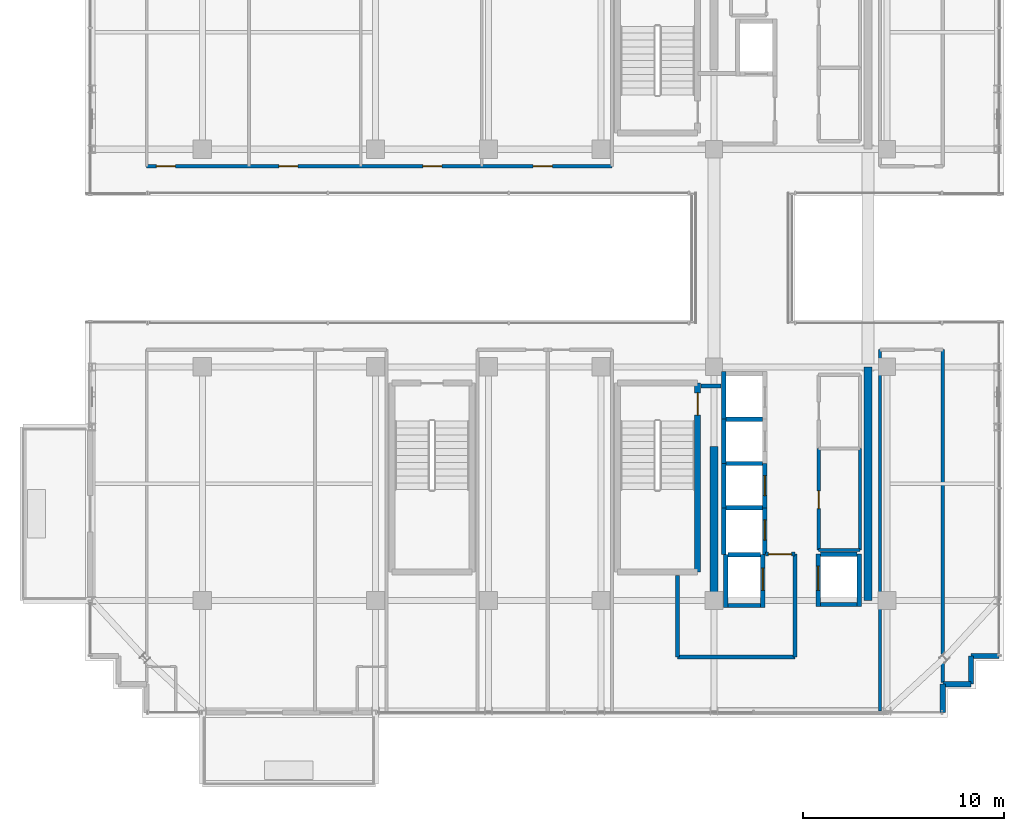
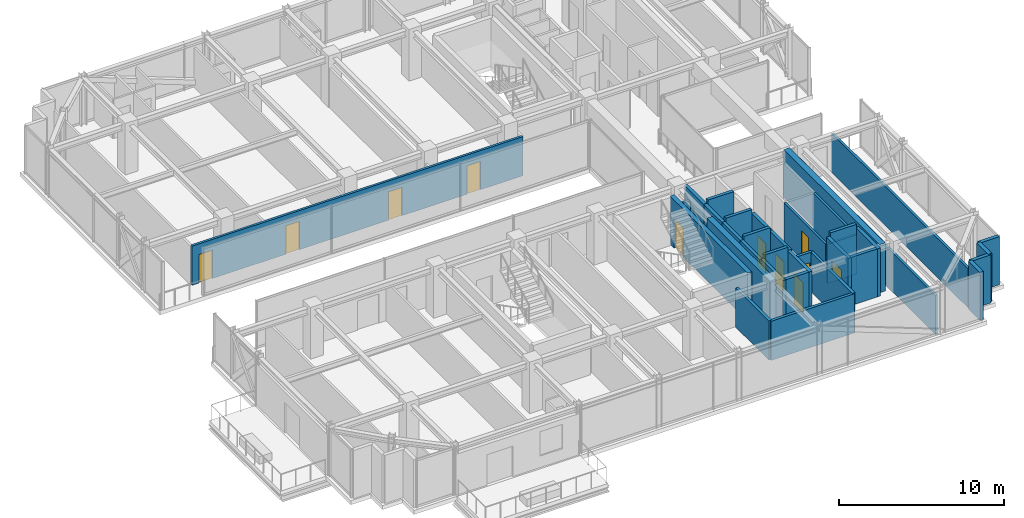
# One storey, part 31 of 37: 35 walls, 11 doors, 11 openings.
"""IFC4 building model written with IfcOpenShell, lengths in metres."""

from ifc_helpers import new_model, si_unit, direction, frame, frame_2d, origin, place, context, subcontext, project, spatial, rectangle, extrude, source, transform, mapped, material, layer, layer_set, type_object, element, fill, save


model = new_model("IFC4")

# Units and contexts
model_context = context("Model", 3, precision=1e-05, world=origin(), true_north=direction((0.0, 1.0)))
body_context = subcontext(model_context, "Body", "Model", "MODEL_VIEW")
ifc_project = project(units=[si_unit("LENGTHUNIT", "METRE"), si_unit("AREAUNIT", "SQUARE_METRE"), si_unit("VOLUMEUNIT", "CUBIC_METRE"), si_unit("PLANEANGLEUNIT", "RADIAN"), si_unit("MASSUNIT", "GRAM", prefix="KILO")], contexts=[model_context])

# Site, building, storey
site_placement = place(None, origin())
site = spatial("IfcSite", under=ifc_project, at=site_placement, CompositionType="ELEMENT")
building_placement = place(site_placement, origin())
building = spatial("IfcBuilding", under=site, at=building_placement, Name="Nahalor Promenade Grand Hotel", CompositionType="ELEMENT")
storey_placement = place(building_placement, frame((0.0, 0.0, 292.64990234375)))
storey = spatial("IfcBuildingStorey", under=building, at=storey_placement, Name="L75", CompositionType="ELEMENT", Elevation=292.64990234375)

# Walls
ifc_material_1 = material(Name="Concrete B-50 (C40/50)", Category="concrete")
ifc_layer_1 = layer(ifc_material_1, 0.39990234375)
ifc_layer_set_1 = layer_set([ifc_layer_1], Name="Concrete B-50 (C40/50)")
wall_type_1 = type_object("IfcWallType", Name="Wall-CoreShear-400", PredefinedType="SHEAR", material=ifc_layer_set_1)
shared_shape_1 = source(origin(), body_context, "Body", "SweptSolid", [
    extrude(rectangle(XDim=7.64990234375, YDim=0.39990234375, at=frame_2d((3.824951171875, 0.0))), origin(), (0.0, 0.0, 1.0), 3.550048828125),
])
wall_1_placement = place(storey_placement, frame((8.39990234375, -17.0, 0.0), z_axis=(0.0, 0.0, 1.0), x_axis=(0.0, 1.0, 0.0)))
element("IfcWall", 1, at=wall_1_placement, inside=storey, type_object=wall_type_1, Name="CWALL-L75-SW", PredefinedType="SHEAR", context=body_context, shape_type="MappedRepresentation", body=[
    mapped(shared_shape_1, transform((0.0, 0.0, 0.0), scale=1.0)),
])
shared_shape_2 = source(origin(), body_context, "Body", "SweptSolid", [
    extrude(rectangle(XDim=11.60009765625, YDim=0.39990234375, at=frame_2d((5.800048828125, 0.0))), origin(), (0.0, 0.0, 1.0), 3.550048828125),
])
wall_2_placement = place(storey_placement, frame((16.050048828125, -17.0, 0.0), z_axis=(0.0, 0.0, 1.0), x_axis=(0.0, 1.0, 0.0)))
element("IfcWall", 2, at=wall_2_placement, inside=storey, type_object=wall_type_1, Name="CWALL-L75-SE", PredefinedType="SHEAR", context=body_context, shape_type="MappedRepresentation", body=[
    mapped(shared_shape_2, transform((0.0, 0.0, 0.0), scale=1.0)),
])

# Wall, opening, door
ifc_layer_2 = layer(ifc_material_1, 0.300048828125)
ifc_layer_set_2 = layer_set([ifc_layer_2], Name="Concrete B-50 (C40/50)")
wall_type_2 = type_object("IfcWallType", Name="Wall-ShaftShear-300", PredefinedType="SHEAR", material=ifc_layer_set_2)
shared_shape_3 = source(origin(), body_context, "Body", "SweptSolid", [
    extrude(rectangle(XDim=9.380126953125, YDim=0.300048828125, at=frame_2d((4.68994140625, 0.0))), origin(), (0.0, 0.0, 1.0), 3.550048828125),
])
wall_3_placement = place(storey_placement, frame((7.590087890625, -15.590087890625, 0.0), z_axis=(0.0, 0.0, 1.0), x_axis=(0.0, 1.0, 0.0)))
wall_3 = element("IfcWall", 3, at=wall_3_placement, inside=storey, type_object=wall_type_2, Name="L75 Exit Stair ST2 Shaft Wall E", PredefinedType="SHEAR", context=body_context, shape_type="MappedRepresentation", body=[
    mapped(shared_shape_3, transform((0.0, 0.0, 0.0), scale=1.0)),
])
opening_1_placement = place(wall_3_placement, frame((7.7900390625, 0.0, 0.0)))
opening_1 = element("IfcOpeningElement", 4, at=opening_1_placement, cuts=wall_3, Name="Opening D-ST1", PredefinedType="OPENING", context=body_context, shape_type="SweptSolid", body=[
    extrude(rectangle(XDim=1.10009765625, YDim=2.14990234375, at=frame_2d((0.550048828125, 1.074951171875))), frame((0.0, 0.159912109375, 0.0), z_axis=(0.0, -1.0, 0.0), x_axis=(1.0, 0.0, 0.0)), (0.0, 0.0, 1.0), 0.320068359375),
])
ifc_material_2 = material(Name="Steel S355JR", Category="steel")
door_type_1 = type_object("IfcDoorType", Name="Door-StairFire-1100", OperationType="NOTDEFINED", PredefinedType="DOOR", material=ifc_material_2)
shared_shape_4 = source(origin(), body_context, "Body", "SweptSolid", [
    extrude(rectangle(XDim=1.10009765625, YDim=2.14990234375, at=frame_2d((0.550048828125, 1.074951171875))), frame((0.0, 0.02490234375, 0.0), z_axis=(0.0, -1.0, 0.0), x_axis=(1.0, 0.0, 0.0)), (0.0, 0.0, 1.0), 0.050048828125),
])
door_1_placement = place(opening_1_placement, origin())
door_1 = element("IfcDoor", 5, at=door_1_placement, inside=storey, type_object=door_type_1, Name="DR-STAIR-ST2-L75", OperationType="SINGLE_SWING_RIGHT", OverallHeight=2.14990234375, OverallWidth=1.10009765625, PredefinedType="DOOR", context=body_context, shape_type="MappedRepresentation", body=[
    mapped(shared_shape_4, transform((0.0, 0.0, 0.0), scale=1.0)),
])
fill(opening_1, door_1)

# Walls
ifc_layer_3 = layer(ifc_material_1, 0.219970703125)
ifc_layer_set_3 = layer_set([ifc_layer_3], Name="Concrete B-50 (C40/50)")
wall_type_3 = type_object("IfcWallType", Name="Wall-LiftShaft-220", PredefinedType="SHEAR", material=ifc_layer_set_3)
shared_shape_5 = source(origin(), body_context, "Body", "SweptSolid", [
    extrude(rectangle(XDim=2.360107421875, YDim=0.219970703125, at=frame_2d((1.18017578125, 0.0))), origin(), (0.0, 0.0, 1.0), 3.550048828125),
])
wall_4_placement = place(storey_placement, frame((8.8798828125, -8.0, 0.0), z_axis=(0.0, 0.0, 1.0), x_axis=(0.0, 1.0, 0.0)))
element("IfcWall", 6, at=wall_4_placement, inside=storey, type_object=wall_type_3, Name="L75 Lift PL9 Hoistway Wall W", PredefinedType="SHEAR", context=body_context, shape_type="MappedRepresentation", body=[
    mapped(shared_shape_5, transform((0.0, 0.0, 0.0), scale=1.0)),
])
shared_shape_6 = source(origin(), body_context, "Body", "SweptSolid", [
    extrude(rectangle(XDim=1.820068359375, YDim=0.219970703125, at=frame_2d((0.91015625, 0.0))), origin(), (0.0, 0.0, 1.0), 3.550048828125),
])
wall_5_placement = place(storey_placement, frame((13.68994140625, -17.199951171875, 0.0), z_axis=(0.0, 0.0, 1.0), x_axis=(1.0, 0.0, 0.0)))
element("IfcWall", 7, at=wall_5_placement, inside=storey, type_object=wall_type_3, Name="L75 Lift SV2 Hoistway Wall S", PredefinedType="SHEAR", context=body_context, shape_type="MappedRepresentation", body=[
    mapped(shared_shape_6, transform((0.0, 0.0, 0.0), scale=1.0)),
])
shared_shape_7 = source(origin(), body_context, "Body", "SweptSolid", [
    extrude(rectangle(XDim=2.199951171875, YDim=0.219970703125, at=frame_2d((1.10009765625, 0.0))), origin(), (0.0, 0.0, 1.0), 3.550048828125),
])
for number, where, z_axis, x_axis, name in (
    (8, (8.8798828125, -10.199951171875, 0.0), (0.0, 0.0, 1.0), (0.0, 1.0, 0.0), "L75 Lift PL10 Hoistway Wall W"),
    (9, (8.8798828125, -12.39990234375, 0.0), (0.0, 0.0, 1.0), (0.0, 1.0, 0.0), "L75 Lift PL11 Hoistway Wall W"),
):
    element("IfcWall", number, at=place(storey_placement, frame(where, z_axis=z_axis, x_axis=x_axis)), inside=storey, type_object=wall_type_3, Name=name, PredefinedType="SHEAR", context=body_context, shape_type="MappedRepresentation", body=[
        mapped(shared_shape_7, transform((0.0, 0.0, 0.0), scale=1.0)),
    ])

# Wall, opening, door
wall_6_placement = place(storey_placement, frame((10.919921875, -12.39990234375, 0.0), z_axis=(0.0, 0.0, 1.0), x_axis=(0.0, 1.0, 0.0)))
wall_6 = element("IfcWall", 10, at=wall_6_placement, inside=storey, type_object=wall_type_3, Name="L75 Lift PL11 Hoistway Wall E", PredefinedType="SHEAR", context=body_context, shape_type="MappedRepresentation", body=[
    mapped(shared_shape_7, transform((0.0, 0.0, 0.0), scale=1.0)),
])
opening_2_placement = place(wall_6_placement, frame((0.60009765625, 0.0, 0.0)))
opening_2 = element("IfcOpeningElement", 11, at=opening_2_placement, cuts=wall_6, Name="Opening LD-01", PredefinedType="OPENING", context=body_context, shape_type="SweptSolid", body=[
    extrude(rectangle(XDim=1.0, YDim=2.199951171875, at=frame_2d((0.5, 1.10009765625))), frame((0.0, 0.119873046875, 0.0), z_axis=(0.0, -1.0, 0.0), x_axis=(1.0, 0.0, 0.0)), (0.0, 0.0, 1.0), 0.239990234375),
])
door_type_2 = type_object("IfcDoorType", Name="Door-LiftLanding-1000", OperationType="DOUBLE_DOOR_SLIDING", PredefinedType="DOOR", material=ifc_material_2)
shared_shape_8 = source(origin(), body_context, "Body", "SweptSolid", [
    extrude(rectangle(XDim=1.0, YDim=2.199951171875, at=frame_2d((0.5, 1.10009765625))), frame((0.0, 0.02490234375, 0.0), z_axis=(0.0, -1.0, 0.0), x_axis=(1.0, 0.0, 0.0)), (0.0, 0.0, 1.0), 0.050048828125),
])
door_2_placement = place(opening_2_placement, frame((1.0, 0.0, 0.0), z_axis=(0.0, 0.0, 1.0), x_axis=(-1.0, 0.0, 0.0)))
door_2 = element("IfcDoor", 12, at=door_2_placement, inside=storey, type_object=door_type_2, Name="DR-LIFT-PL11-L75", OperationType="DOUBLE_DOOR_SLIDING", OverallHeight=2.199951171875, OverallWidth=1.0, PredefinedType="DOOR", context=body_context, shape_type="MappedRepresentation", body=[
    mapped(shared_shape_8, transform((0.0, 0.0, 0.0), scale=1.0)),
])
fill(opening_2, door_2)

# Walls
shared_shape_9 = source(origin(), body_context, "Body", "SweptSolid", [
    extrude(rectangle(XDim=1.820068359375, YDim=0.219970703125, at=frame_2d((0.91015625, 0.0))), origin(), (0.0, 0.0, 1.0), 3.85009765625),
])
for number, where, z_axis, x_axis, name in (
    (13, (8.989990234375, -8.0, 0.0), (0.0, 0.0, 1.0), (1.0, 0.0, 0.0), "L75 Lift PL10 Hoistway Wall N"),
    (14, (8.989990234375, -10.199951171875, 0.0), (0.0, 0.0, 1.0), (1.0, 0.0, 0.0), "L75 Lift PL11 Hoistway Wall N"),
    (15, (8.989990234375, -12.39990234375, 0.0), (0.0, 0.0, 1.0), (1.0, 0.0, 0.0), "L75 Lift PL12 Hoistway Wall N"),
    (16, (13.68994140625, -14.699951171875, 0.0), (0.0, 0.0, 1.0), (1.0, 0.0, 0.0), "L75 Lift SV2 Hoistway Wall N"),
):
    element("IfcWall", number, at=place(storey_placement, frame(where, z_axis=z_axis, x_axis=x_axis)), inside=storey, type_object=wall_type_3, Name=name, PredefinedType="SHEAR", context=body_context, shape_type="MappedRepresentation", body=[
        mapped(shared_shape_9, transform((0.0, 0.0, 0.0), scale=1.0)),
    ])
shared_shape_10 = source(origin(), body_context, "Body", "SweptSolid", [
    extrude(rectangle(XDim=2.3251953125, YDim=0.219970703125, at=frame_2d((1.16259765625, 0.0))), origin(), (0.0, 0.0, 1.0), 3.550048828125),
])
wall_7_placement = place(storey_placement, frame((8.8798828125, -14.72509765625, 0.0), z_axis=(0.0, 0.0, 1.0), x_axis=(0.0, 1.0, 0.0)))
element("IfcWall", 17, at=wall_7_placement, inside=storey, type_object=wall_type_3, Name="L75 Lift PL12 Hoistway Wall W", PredefinedType="SHEAR", context=body_context, shape_type="MappedRepresentation", body=[
    mapped(shared_shape_10, transform((0.0, 0.0, 0.0), scale=1.0)),
])

# Wall, opening, door
wall_8_placement = place(storey_placement, frame((10.919921875, -14.72509765625, 0.0), z_axis=(0.0, 0.0, 1.0), x_axis=(0.0, 1.0, 0.0)))
wall_8 = element("IfcWall", 18, at=wall_8_placement, inside=storey, type_object=wall_type_3, Name="L75 Lift PL12 Hoistway Wall E", PredefinedType="SHEAR", context=body_context, shape_type="MappedRepresentation", body=[
    mapped(shared_shape_10, transform((0.0, 0.0, 0.0), scale=1.0)),
])
opening_3_placement = place(wall_8_placement, frame((0.72509765625, 0.0, 0.0)))
opening_3 = element("IfcOpeningElement", 19, at=opening_3_placement, cuts=wall_8, Name="Opening LD-01", PredefinedType="OPENING", context=body_context, shape_type="SweptSolid", body=[
    extrude(rectangle(XDim=1.0, YDim=2.199951171875, at=frame_2d((0.5, 1.10009765625))), frame((0.0, 0.119873046875, 0.0), z_axis=(0.0, -1.0, 0.0), x_axis=(1.0, 0.0, 0.0)), (0.0, 0.0, 1.0), 0.239990234375),
])
door_3_placement = place(opening_3_placement, frame((1.0, 0.0, 0.0), z_axis=(0.0, 0.0, 1.0), x_axis=(-1.0, 0.0, 0.0)))
door_3 = element("IfcDoor", 20, at=door_3_placement, inside=storey, type_object=door_type_2, Name="DR-LIFT-PL12-L75", OperationType="DOUBLE_DOOR_SLIDING", OverallHeight=2.199951171875, OverallWidth=1.0, PredefinedType="DOOR", context=body_context, shape_type="MappedRepresentation", body=[
    mapped(shared_shape_8, transform((0.0, 0.0, 0.0), scale=1.0)),
])
fill(opening_3, door_3)

# Wall
shared_shape_11 = source(origin(), body_context, "Body", "SweptSolid", [
    extrude(rectangle(XDim=2.635009765625, YDim=0.219970703125, at=frame_2d((1.3173828125, 0.0))), origin(), (0.0, 0.0, 1.0), 3.550048828125),
])
wall_9_placement = place(storey_placement, frame((8.97998046875, -17.360107421875, 0.0), z_axis=(0.0, 0.0, 1.0), x_axis=(0.0, 1.0, 0.0)))
element("IfcWall", 21, at=wall_9_placement, inside=storey, type_object=wall_type_3, Name="L75 Lift FL2 Hoistway Wall W", PredefinedType="SHEAR", context=body_context, shape_type="MappedRepresentation", body=[
    mapped(shared_shape_11, transform((0.0, 0.0, 0.0), scale=1.0)),
])

# Wall, opening, door
wall_10_placement = place(storey_placement, frame((10.820068359375, -17.360107421875, 0.0), z_axis=(0.0, 0.0, 1.0), x_axis=(0.0, 1.0, 0.0)))
wall_10 = element("IfcWall", 22, at=wall_10_placement, inside=storey, type_object=wall_type_3, Name="L75 Lift FL2 Hoistway Wall E", PredefinedType="SHEAR", context=body_context, shape_type="MappedRepresentation", body=[
    mapped(shared_shape_11, transform((0.0, 0.0, 0.0), scale=1.0)),
])
opening_4_placement = place(wall_10_placement, frame((0.860107421875, 0.0, 0.0)))
opening_4 = element("IfcOpeningElement", 23, at=opening_4_placement, cuts=wall_10, Name="Opening LD-02", PredefinedType="OPENING", context=body_context, shape_type="SweptSolid", body=[
    extrude(rectangle(XDim=1.10009765625, YDim=2.199951171875, at=frame_2d((0.550048828125, 1.10009765625))), frame((0.0, 0.119873046875, 0.0), z_axis=(0.0, -1.0, 0.0), x_axis=(1.0, 0.0, 0.0)), (0.0, 0.0, 1.0), 0.239990234375),
])
door_type_3 = type_object("IfcDoorType", Name="Door-LiftFF-1100", OperationType="DOUBLE_DOOR_SLIDING", PredefinedType="DOOR", material=ifc_material_2)
shared_shape_12 = source(origin(), body_context, "Body", "SweptSolid", [
    extrude(rectangle(XDim=1.10009765625, YDim=2.199951171875, at=frame_2d((0.550048828125, 1.10009765625))), frame((0.0, 0.02490234375, 0.0), z_axis=(0.0, -1.0, 0.0), x_axis=(1.0, 0.0, 0.0)), (0.0, 0.0, 1.0), 0.050048828125),
])
door_4_placement = place(opening_4_placement, frame((1.10009765625, 0.0, 0.0), z_axis=(0.0, 0.0, 1.0), x_axis=(-1.0, 0.0, 0.0)))
door_4 = element("IfcDoor", 24, at=door_4_placement, inside=storey, type_object=door_type_3, Name="DR-LIFT-FL2-L75", OperationType="DOUBLE_DOOR_SLIDING", OverallHeight=2.199951171875, OverallWidth=1.10009765625, PredefinedType="DOOR", context=body_context, shape_type="MappedRepresentation", body=[
    mapped(shared_shape_12, transform((0.0, 0.0, 0.0), scale=1.0)),
])
fill(opening_4, door_4)

# Walls
shared_shape_13 = source(origin(), body_context, "Body", "SweptSolid", [
    extrude(rectangle(XDim=1.619873046875, YDim=0.219970703125, at=frame_2d((0.81005859375, 0.0))), origin(), (0.0, 0.0, 1.0), 3.550048828125),
])
wall_11_placement = place(storey_placement, frame((9.090087890625, -17.25, 0.0), z_axis=(0.0, 0.0, 1.0), x_axis=(1.0, 0.0, 0.0)))
element("IfcWall", 25, at=wall_11_placement, inside=storey, type_object=wall_type_3, Name="L75 Lift FL2 Hoistway Wall S", PredefinedType="SHEAR", context=body_context, shape_type="MappedRepresentation", body=[
    mapped(shared_shape_13, transform((0.0, 0.0, 0.0), scale=1.0)),
])
shared_shape_14 = source(origin(), body_context, "Body", "SweptSolid", [
    extrude(rectangle(XDim=1.619873046875, YDim=0.219970703125, at=frame_2d((0.81005859375, 0.0))), origin(), (0.0, 0.0, 1.0), 3.85009765625),
])
wall_12_placement = place(storey_placement, frame((9.090087890625, -14.72509765625, 0.0), z_axis=(0.0, 0.0, 1.0), x_axis=(1.0, 0.0, 0.0)))
element("IfcWall", 26, at=wall_12_placement, inside=storey, type_object=wall_type_3, Name="L75 Lift FL2 Hoistway Wall N", PredefinedType="SHEAR", context=body_context, shape_type="MappedRepresentation", body=[
    mapped(shared_shape_14, transform((0.0, 0.0, 0.0), scale=1.0)),
])

# Wall, opening, door
shared_shape_15 = source(origin(), body_context, "Body", "SweptSolid", [
    extrude(rectangle(XDim=2.610107421875, YDim=0.219970703125, at=frame_2d((1.30517578125, 0.0))), origin(), (0.0, 0.0, 1.0), 3.550048828125),
])
wall_13_placement = place(storey_placement, frame((13.580078125, -17.31005859375, 0.0), z_axis=(0.0, 0.0, 1.0), x_axis=(0.0, 1.0, 0.0)))
wall_13 = element("IfcWall", 27, at=wall_13_placement, inside=storey, type_object=wall_type_3, Name="L75 Lift SV2 Hoistway Wall W", PredefinedType="SHEAR", context=body_context, shape_type="MappedRepresentation", body=[
    mapped(shared_shape_15, transform((0.0, 0.0, 0.0), scale=1.0)),
])
opening_5_placement = place(wall_13_placement, frame((0.81005859375, 0.0, 0.0)))
opening_5 = element("IfcOpeningElement", 28, at=opening_5_placement, cuts=wall_13, Name="Opening LD-03", PredefinedType="OPENING", context=body_context, shape_type="SweptSolid", body=[
    extrude(rectangle(XDim=1.199951171875, YDim=2.199951171875, at=frame_2d((0.60009765625, 1.10009765625))), frame((0.0, 0.119873046875, 0.0), z_axis=(0.0, -1.0, 0.0), x_axis=(1.0, 0.0, 0.0)), (0.0, 0.0, 1.0), 0.239990234375),
])
door_type_4 = type_object("IfcDoorType", Name="Door-LiftService-1200", OperationType="DOUBLE_DOOR_SLIDING", PredefinedType="DOOR", material=ifc_material_2)
shared_shape_16 = source(origin(), body_context, "Body", "SweptSolid", [
    extrude(rectangle(XDim=1.199951171875, YDim=2.199951171875, at=frame_2d((0.60009765625, 1.10009765625))), frame((0.0, 0.02490234375, 0.0), z_axis=(0.0, -1.0, 0.0), x_axis=(1.0, 0.0, 0.0)), (0.0, 0.0, 1.0), 0.050048828125),
])
door_5_placement = place(opening_5_placement, origin())
door_5 = element("IfcDoor", 29, at=door_5_placement, inside=storey, type_object=door_type_4, Name="DR-LIFT-SV2-L75", OperationType="DOUBLE_DOOR_SLIDING", OverallHeight=2.199951171875, OverallWidth=1.199951171875, PredefinedType="DOOR", context=body_context, shape_type="MappedRepresentation", body=[
    mapped(shared_shape_16, transform((0.0, 0.0, 0.0), scale=1.0)),
])
fill(opening_5, door_5)

# Walls
wall_14_placement = place(storey_placement, frame((15.6201171875, -17.31005859375, 0.0), z_axis=(0.0, 0.0, 1.0), x_axis=(0.0, 1.0, 0.0)))
element("IfcWall", 30, at=wall_14_placement, inside=storey, type_object=wall_type_3, Name="L75 Lift SV2 Hoistway Wall E", PredefinedType="SHEAR", context=body_context, shape_type="MappedRepresentation", body=[
    mapped(shared_shape_15, transform((0.0, 0.0, 0.0), scale=1.0)),
])
ifc_material_3 = material(Name="Concrete B-40 (C32/40)", Category="concrete")
ifc_layer_4 = layer(ifc_material_3, 0.25)
ifc_layer_set_4 = layer_set([ifc_layer_4], Name="Concrete B-40 (C32/40)")
wall_type_4 = type_object("IfcWallType", Name="Wall-BronzePier-250", PredefinedType="STANDARD", material=ifc_layer_set_4)
shared_shape_17 = source(origin(), body_context, "Body", "SweptSolid", [
    extrude(rectangle(XDim=1.400146484375, YDim=0.25, at=frame_2d((0.7001953125, 0.0))), origin(), (0.0, 0.0, 1.0), 3.550048828125),
])
for number, where, z_axis, x_axis, name in (
    (31, (19.760009765625, -22.56005859375, 0.0), (0.0, 0.0, 1.0), (0.0, 1.0, 0.0), "W-L75-SR-01"),
    (32, (21.159912109375, -19.760009765625, 0.0), (0.0, 0.0, 1.0), (1.0, 0.0, 0.0), "W-L75-SR-04"),
):
    element("IfcWall", number, at=place(storey_placement, frame(where, z_axis=z_axis, x_axis=x_axis)), inside=storey, type_object=wall_type_4, Name=name, PredefinedType="STANDARD", context=body_context, shape_type="MappedRepresentation", body=[
        mapped(shared_shape_17, transform((0.0, 0.0, 0.0), scale=1.0)),
    ])
shared_shape_18 = source(origin(), body_context, "Body", "SweptSolid", [
    extrude(rectangle(XDim=1.39990234375, YDim=0.25, at=frame_2d((0.699951171875, 0.0))), origin(), (0.0, 0.0, 1.0), 3.550048828125),
])
for number, where, z_axis, x_axis, name in (
    (33, (19.760009765625, -21.159912109375, 0.0), (0.0, 0.0, 1.0), (1.0, 0.0, 0.0), "W-L75-SR-02"),
    (34, (21.159912109375, -21.159912109375, 0.0), (0.0, 0.0, 1.0), (0.0, 1.0, 0.0), "W-L75-SR-03"),
):
    element("IfcWall", number, at=place(storey_placement, frame(where, z_axis=z_axis, x_axis=x_axis)), inside=storey, type_object=wall_type_4, Name=name, PredefinedType="STANDARD", context=body_context, shape_type="MappedRepresentation", body=[
        mapped(shared_shape_18, transform((0.0, 0.0, 0.0), scale=1.0)),
    ])
ifc_layer_5 = layer(ifc_material_3, 0.199951171875)
ifc_layer_set_5 = layer_set([ifc_layer_5], Name="Concrete B-40 (C32/40)")
wall_type_5 = type_object("IfcWallType", Name="Wall-PartFire-200", PredefinedType="PARTITIONING", material=ifc_layer_set_5)
shared_shape_19 = source(origin(), body_context, "Body", "SweptSolid", [
    extrude(rectangle(XDim=5.81982421875, YDim=0.199951171875, at=frame_2d((2.909912109375, 0.0))), origin(), (0.0, 0.0, 1.0), 2.89013671875),
])
wall_15_placement = place(storey_placement, frame((6.60009765625, -19.800048828125, 0.0), z_axis=(0.0, 0.0, 1.0), x_axis=(1.0, 0.0, 0.0)))
element("IfcWall", 35, at=wall_15_placement, inside=storey, type_object=wall_type_5, Name="W-L75-FF2-S1", PredefinedType="PARTITIONING", context=body_context, shape_type="MappedRepresentation", body=[
    mapped(shared_shape_19, transform((0.0, 0.0, 0.0), scale=1.0)),
])
shared_shape_20 = source(origin(), body_context, "Body", "SweptSolid", [
    extrude(rectangle(XDim=4.030029296875, YDim=0.199951171875, at=frame_2d((2.01513671875, 0.0))), origin(), (0.0, 0.0, 1.0), 2.89013671875),
])
wall_16_placement = place(storey_placement, frame((6.60009765625, -19.800048828125, 0.0), z_axis=(0.0, 0.0, 1.0), x_axis=(0.0, 1.0, 0.0)))
element("IfcWall", 36, at=wall_16_placement, inside=storey, type_object=wall_type_5, Name="W-L75-FF2-W1", PredefinedType="PARTITIONING", context=body_context, shape_type="MappedRepresentation", body=[
    mapped(shared_shape_20, transform((0.0, 0.0, 0.0), scale=1.0)),
])
shared_shape_21 = source(origin(), body_context, "Body", "SweptSolid", [
    extrude(rectangle(XDim=5.10009765625, YDim=0.199951171875, at=frame_2d((2.550048828125, 0.0))), origin(), (0.0, 0.0, 1.0), 2.89013671875),
])
wall_17_placement = place(storey_placement, frame((12.419921875, -19.800048828125, 0.0), z_axis=(0.0, 0.0, 1.0), x_axis=(0.0, 1.0, 0.0)))
element("IfcWall", 37, at=wall_17_placement, inside=storey, type_object=wall_type_5, Name="W-L75-FF2-E", PredefinedType="PARTITIONING", context=body_context, shape_type="MappedRepresentation", body=[
    mapped(shared_shape_21, transform((0.0, 0.0, 0.0), scale=1.0)),
])

# Wall, opening, door
shared_shape_22 = source(origin(), body_context, "Body", "SweptSolid", [
    extrude(rectangle(XDim=1.4599609375, YDim=0.199951171875, at=frame_2d((0.72998046875, 0.0))), origin(), (0.0, 0.0, 1.0), 2.89013671875),
])
wall_18_placement = place(storey_placement, frame((10.9599609375, -14.699951171875, 0.0), z_axis=(0.0, 0.0, 1.0), x_axis=(1.0, 0.0, 0.0)))
wall_18 = element("IfcWall", 38, at=wall_18_placement, inside=storey, type_object=wall_type_5, Name="W-L75-FF2-N1", PredefinedType="PARTITIONING", context=body_context, shape_type="MappedRepresentation", body=[
    mapped(shared_shape_22, transform((0.0, 0.0, 0.0), scale=1.0)),
])
opening_6_placement = place(wall_18_placement, frame((0.14501953125, 0.0, 0.0)))
opening_6 = element("IfcOpeningElement", 39, at=opening_6_placement, cuts=wall_18, Name="Opening D-FF1", PredefinedType="OPENING", context=body_context, shape_type="SweptSolid", body=[
    extrude(rectangle(XDim=1.14990234375, YDim=2.14990234375, at=frame_2d((0.574951171875, 1.074951171875))), frame((0.0, 0.10986328125, 0.0), z_axis=(0.0, -1.0, 0.0), x_axis=(1.0, 0.0, 0.0)), (0.0, 0.0, 1.0), 0.219970703125),
])
door_type_5 = type_object("IfcDoorType", Name="Door-FFLobby-1150", OperationType="NOTDEFINED", PredefinedType="DOOR", material=ifc_material_2)
shared_shape_23 = source(origin(), body_context, "Body", "SweptSolid", [
    extrude(rectangle(XDim=1.14990234375, YDim=2.14990234375, at=frame_2d((0.574951171875, 1.074951171875))), frame((0.0, 0.02490234375, 0.0), z_axis=(0.0, -1.0, 0.0), x_axis=(1.0, 0.0, 0.0)), (0.0, 0.0, 1.0), 0.050048828125),
])
door_6_placement = place(opening_6_placement, origin())
door_6 = element("IfcDoor", 40, at=door_6_placement, inside=storey, type_object=door_type_5, Name="DR-L75-FFL2", OperationType="SINGLE_SWING_RIGHT", OverallHeight=2.14990234375, OverallWidth=1.14990234375, PredefinedType="DOOR", context=body_context, shape_type="MappedRepresentation", body=[
    mapped(shared_shape_23, transform((0.0, 0.0, 0.0), scale=1.0)),
])
fill(opening_6, door_6)

# Walls
shared_shape_24 = source(origin(), body_context, "Body", "SweptSolid", [
    extrude(rectangle(XDim=0.969970703125, YDim=0.199951171875, at=frame_2d((0.48486328125, 0.0))), origin(), (0.0, 0.0, 1.0), 2.89013671875),
])
wall_19_placement = place(storey_placement, frame((7.77001953125, -6.35009765625, 0.0), z_axis=(0.0, 0.0, 1.0), x_axis=(1.0, 0.0, 0.0)))
element("IfcWall", 41, at=wall_19_placement, inside=storey, type_object=wall_type_5, Name="W-L75-FF2-N2", PredefinedType="PARTITIONING", context=body_context, shape_type="MappedRepresentation", body=[
    mapped(shared_shape_24, transform((0.0, 0.0, 0.0), scale=1.0)),
])
ifc_material_4 = material(Name="Acoustic Mineral Gypsum", Category="gypsum")
ifc_layer_6 = layer(ifc_material_4, 0.159912109375)
ifc_layer_set_6 = layer_set([ifc_layer_6], Name="Acoustic Mineral Gypsum")
wall_type_6 = type_object("IfcWallType", Name="Wall-PartCorridor-160", PredefinedType="PARTITIONING", material=ifc_layer_set_6)
shared_shape_25 = source(origin(), body_context, "Body", "SweptSolid", [
    extrude(rectangle(XDim=2.0498046875, YDim=0.159912109375, at=frame_2d((1.02490234375, 0.0))), origin(), (0.0, 0.0, 1.0), 2.89013671875),
])
wall_20_placement = place(storey_placement, frame((13.60009765625, -14.5, 0.0), z_axis=(0.0, 0.0, 1.0), x_axis=(1.0, 0.0, 0.0)))
element("IfcWall", 42, at=wall_20_placement, inside=storey, type_object=wall_type_6, Name="W-L75-FRB2A-S", PredefinedType="PARTITIONING", context=body_context, shape_type="MappedRepresentation", body=[
    mapped(shared_shape_25, transform((0.0, 0.0, 0.0), scale=1.0)),
])

# Wall, opening, door
shared_shape_26 = source(origin(), body_context, "Body", "SweptSolid", [
    extrude(rectangle(XDim=5.050048828125, YDim=0.159912109375, at=frame_2d((2.52490234375, 0.0))), origin(), (0.0, 0.0, 1.0), 2.89013671875),
])
wall_21_placement = place(storey_placement, frame((13.60009765625, -14.5, 0.0), z_axis=(0.0, 0.0, 1.0), x_axis=(0.0, 1.0, 0.0)))
wall_21 = element("IfcWall", 43, at=wall_21_placement, inside=storey, type_object=wall_type_6, Name="W-L75-FRB2A-W", PredefinedType="PARTITIONING", context=body_context, shape_type="MappedRepresentation", body=[
    mapped(shared_shape_26, transform((0.0, 0.0, 0.0), scale=1.0)),
])
opening_7_placement = place(wall_21_placement, frame((2.06005859375, 0.0, 0.0)))
opening_7 = element("IfcOpeningElement", 44, at=opening_7_placement, cuts=wall_21, Name="Opening D-03", PredefinedType="OPENING", context=body_context, shape_type="SweptSolid", body=[
    extrude(rectangle(XDim=0.8798828125, YDim=2.10009765625, at=frame_2d((0.43994140625, 1.050048828125))), frame((0.0, 0.08984375, 0.0), z_axis=(0.0, -1.0, 0.0), x_axis=(1.0, 0.0, 0.0)), (0.0, 0.0, 1.0), 0.179931640625),
])
ifc_material_5 = material(Name="Fire-Rated Timber Composite", Category="wood")
door_type_6 = type_object("IfcDoorType", Name="Door-BathSwing-880", OperationType="NOTDEFINED", PredefinedType="DOOR", material=ifc_material_5)
shared_shape_27 = source(origin(), body_context, "Body", "SweptSolid", [
    extrude(rectangle(XDim=0.8798828125, YDim=2.10009765625, at=frame_2d((0.43994140625, 1.050048828125))), frame((0.0, 0.02490234375, 0.0), z_axis=(0.0, -1.0, 0.0), x_axis=(1.0, 0.0, 0.0)), (0.0, 0.0, 1.0), 0.050048828125),
])
door_7_placement = place(opening_7_placement, frame((0.8798828125, 0.0, 0.0), z_axis=(0.0, 0.0, 1.0), x_axis=(-1.0, 0.0, 0.0)))
door_7 = element("IfcDoor", 45, at=door_7_placement, inside=storey, type_object=door_type_6, Name="DR-L75-FRB2A", OperationType="SINGLE_SWING_RIGHT", OverallHeight=2.10009765625, OverallWidth=0.8798828125, PredefinedType="DOOR", context=body_context, shape_type="MappedRepresentation", body=[
    mapped(shared_shape_27, transform((0.0, 0.0, 0.0), scale=1.0)),
])
fill(opening_7, door_7)

# Walls
wall_22_placement = place(storey_placement, frame((15.64990234375, -14.5, 0.0), z_axis=(0.0, 0.0, 1.0), x_axis=(0.0, 1.0, 0.0)))
element("IfcWall", 46, at=wall_22_placement, inside=storey, type_object=wall_type_6, Name="W-L75-FRB2A-E", PredefinedType="PARTITIONING", context=body_context, shape_type="MappedRepresentation", body=[
    mapped(shared_shape_26, transform((0.0, 0.0, 0.0), scale=1.0)),
])
shared_shape_28 = source(origin(), body_context, "Body", "SweptSolid", [
    extrude(rectangle(XDim=17.949951171875, YDim=0.159912109375, at=frame_2d((8.97509765625, 0.0))), origin(), (0.0, 0.0, 1.0), 2.89013671875),
])
wall_23_placement = place(storey_placement, frame((16.64990234375, -22.5, 0.0), z_axis=(0.0, 0.0, 1.0), x_axis=(0.0, 1.0, 0.0)))
element("IfcWall", 47, at=wall_23_placement, inside=storey, type_object=wall_type_6, Name="W-L75-ESE-W", PredefinedType="PARTITIONING", context=body_context, shape_type="MappedRepresentation", body=[
    mapped(shared_shape_28, transform((0.0, 0.0, 0.0), scale=1.0)),
])
shared_shape_29 = source(origin(), body_context, "Body", "SweptSolid", [
    extrude(rectangle(XDim=16.530029296875, YDim=0.159912109375, at=frame_2d((8.26513671875, 0.0))), origin(), (0.0, 0.0, 1.0), 2.89013671875),
])
wall_24_placement = place(storey_placement, frame((19.760009765625, -21.080078125, 0.0), z_axis=(0.0, 0.0, 1.0), x_axis=(0.0, 1.0, 0.0)))
element("IfcWall", 48, at=wall_24_placement, inside=storey, type_object=wall_type_6, Name="W-L75-ESE-E", PredefinedType="PARTITIONING", context=body_context, shape_type="MappedRepresentation", body=[
    mapped(shared_shape_29, transform((0.0, 0.0, 0.0), scale=1.0)),
])

# Wall, openings, doors
shared_shape_30 = source(origin(), body_context, "Body", "SweptSolid", [
    extrude(rectangle(XDim=23.10009765625, YDim=0.159912109375, at=frame_2d((11.550048828125, 0.0))), origin(), (0.0, 0.0, 1.0), 2.89013671875),
])
wall_25_placement = place(storey_placement, frame((-19.760009765625, 4.550048828125, 0.0), z_axis=(0.0, 0.0, 1.0), x_axis=(1.0, 0.0, 0.0)))
wall_25 = element("IfcWall", 49, at=wall_25_placement, inside=storey, type_object=wall_type_6, Name="W-L75-CORR-N", PredefinedType="PARTITIONING", context=body_context, shape_type="MappedRepresentation", body=[
    mapped(shared_shape_30, transform((0.0, 0.0, 0.0), scale=1.0)),
])
opening_8_placement = place(wall_25_placement, frame((0.47705078125, 0.0, 0.0)))
opening_8 = element("IfcOpeningElement", 50, at=opening_8_placement, cuts=wall_25, Name="Opening D-01", PredefinedType="OPENING", context=body_context, shape_type="SweptSolid", body=[
    extrude(rectangle(XDim=0.949951171875, YDim=2.10009765625, at=frame_2d((0.47509765625, 1.050048828125))), frame((0.0, 0.08984375, 0.0), z_axis=(0.0, -1.0, 0.0), x_axis=(1.0, 0.0, 0.0)), (0.0, 0.0, 1.0), 0.179931640625),
])
opening_9_placement = place(wall_25_placement, frame((6.555908203125, 0.0, 0.0)))
opening_9 = element("IfcOpeningElement", 51, at=opening_9_placement, cuts=wall_25, Name="Opening D-01", PredefinedType="OPENING", context=body_context, shape_type="SweptSolid", body=[
    extrude(rectangle(XDim=0.949951171875, YDim=2.10009765625, at=frame_2d((0.47509765625, 1.050048828125))), frame((0.0, 0.08984375, 0.0), z_axis=(0.0, -1.0, 0.0), x_axis=(1.0, 0.0, 0.0)), (0.0, 0.0, 1.0), 0.179931640625),
])
opening_10_placement = place(wall_25_placement, frame((13.7080078125, 0.0, 0.0)))
opening_10 = element("IfcOpeningElement", 52, at=opening_10_placement, cuts=wall_25, Name="Opening D-01", PredefinedType="OPENING", context=body_context, shape_type="SweptSolid", body=[
    extrude(rectangle(XDim=0.949951171875, YDim=2.10009765625, at=frame_2d((0.47509765625, 1.050048828125))), frame((0.0, 0.08984375, 0.0), z_axis=(0.0, -1.0, 0.0), x_axis=(1.0, 0.0, 0.0)), (0.0, 0.0, 1.0), 0.179931640625),
])
opening_11_placement = place(wall_25_placement, frame((19.18603515625, 0.0, 0.0)))
opening_11 = element("IfcOpeningElement", 53, at=opening_11_placement, cuts=wall_25, Name="Opening D-01", PredefinedType="OPENING", context=body_context, shape_type="SweptSolid", body=[
    extrude(rectangle(XDim=0.949951171875, YDim=2.10009765625, at=frame_2d((0.47509765625, 1.050048828125))), frame((0.0, 0.08984375, 0.0), z_axis=(0.0, -1.0, 0.0), x_axis=(1.0, 0.0, 0.0)), (0.0, 0.0, 1.0), 0.179931640625),
])
door_type_7 = type_object("IfcDoorType", Name="Door-GuestEntry-950", OperationType="NOTDEFINED", PredefinedType="DOOR", material=ifc_material_5)
shared_shape_31 = source(origin(), body_context, "Body", "SweptSolid", [
    extrude(rectangle(XDim=0.949951171875, YDim=2.10009765625, at=frame_2d((0.47509765625, 1.050048828125))), frame((0.0, 0.02490234375, 0.0), z_axis=(0.0, -1.0, 0.0), x_axis=(1.0, 0.0, 0.0)), (0.0, 0.0, 1.0), 0.050048828125),
])
door_8_placement = place(opening_8_placement, origin())
door_8 = element("IfcDoor", 54, at=door_8_placement, inside=storey, type_object=door_type_7, Name="DR-L75-N1-ENT", OperationType="SINGLE_SWING_LEFT", OverallHeight=2.10009765625, OverallWidth=0.949951171875, PredefinedType="DOOR", context=body_context, shape_type="MappedRepresentation", body=[
    mapped(shared_shape_31, transform((0.0, 0.0, 0.0), scale=1.0)),
])
fill(opening_8, door_8)
door_9_placement = place(opening_9_placement, origin())
door_9 = element("IfcDoor", 55, at=door_9_placement, inside=storey, type_object=door_type_7, Name="DR-L75-N2-ENT", OperationType="SINGLE_SWING_LEFT", OverallHeight=2.10009765625, OverallWidth=0.949951171875, PredefinedType="DOOR", context=body_context, shape_type="MappedRepresentation", body=[
    mapped(shared_shape_31, transform((0.0, 0.0, 0.0), scale=1.0)),
])
fill(opening_9, door_9)
door_10_placement = place(opening_10_placement, origin())
door_10 = element("IfcDoor", 56, at=door_10_placement, inside=storey, type_object=door_type_7, Name="DR-L75-N3-ENT", OperationType="SINGLE_SWING_LEFT", OverallHeight=2.10009765625, OverallWidth=0.949951171875, PredefinedType="DOOR", context=body_context, shape_type="MappedRepresentation", body=[
    mapped(shared_shape_31, transform((0.0, 0.0, 0.0), scale=1.0)),
])
fill(opening_10, door_10)
door_11_placement = place(opening_11_placement, origin())
door_11 = element("IfcDoor", 57, at=door_11_placement, inside=storey, type_object=door_type_7, Name="DR-L75-N4-ENT", OperationType="SINGLE_SWING_LEFT", OverallHeight=2.10009765625, OverallWidth=0.949951171875, PredefinedType="DOOR", context=body_context, shape_type="MappedRepresentation", body=[
    mapped(shared_shape_31, transform((0.0, 0.0, 0.0), scale=1.0)),
])
fill(opening_11, door_11)

save(model, "model.ifc")
